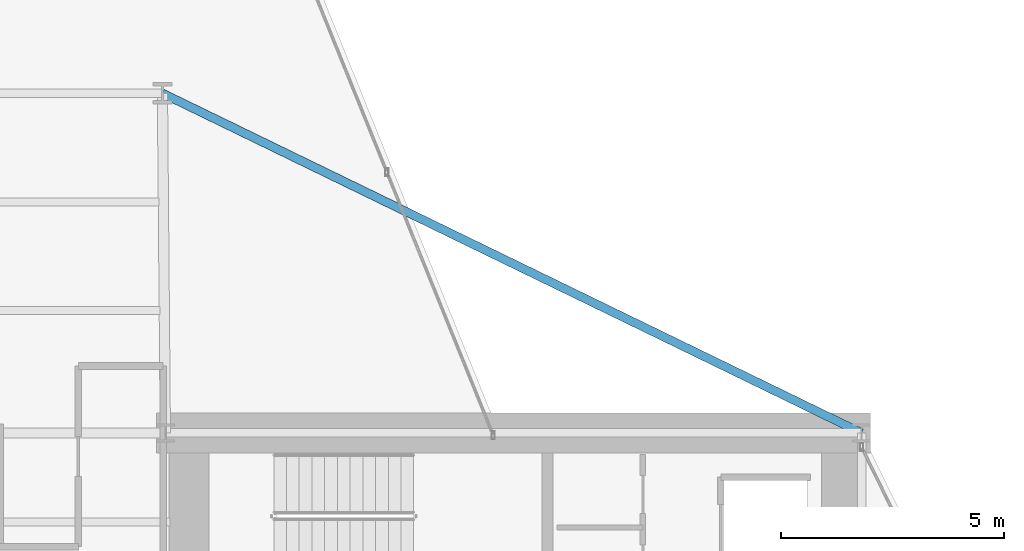
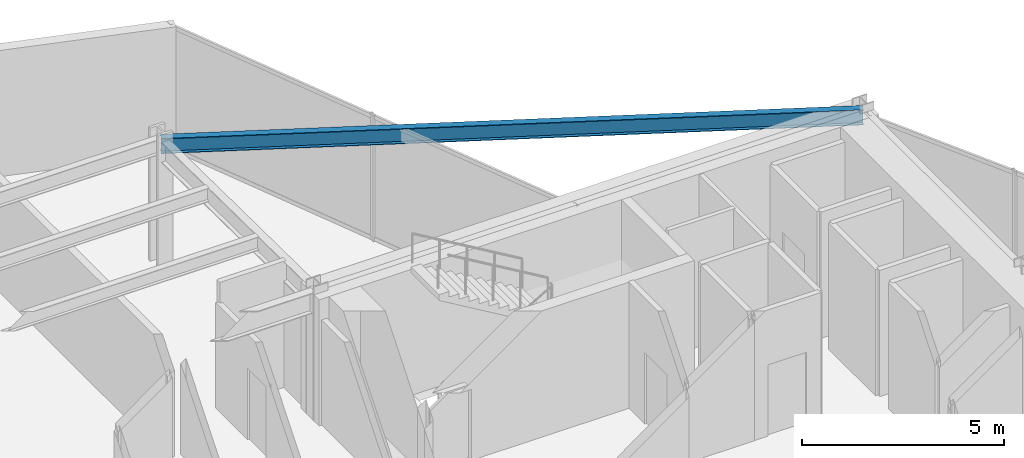
# One storey, part 22 of 29: 1 beam.
"""IFC4 building model written with IfcOpenShell, lengths in metres."""

from ifc_helpers import new_model, si_unit, direction, frame, origin, origin_2d, place, context, subcontext, project, spatial, i_section, extrude, material, material_profile, profile_set, type_object, element, save


model = new_model("IFC4")

# Units and contexts
model_context = context("Model", 3, precision=1e-05, world=origin(), true_north=direction((0.0, 1.0)))
body_context = subcontext(model_context, "Body", "Model", "MODEL_VIEW")
ifc_project = project(units=[si_unit("LENGTHUNIT", "METRE"), si_unit("AREAUNIT", "SQUARE_METRE"), si_unit("VOLUMEUNIT", "CUBIC_METRE"), si_unit("PLANEANGLEUNIT", "RADIAN"), si_unit("MASSUNIT", "GRAM", prefix="KILO")], contexts=[model_context])

# Site, building, storey
site_placement = place(None, origin())
site = spatial("IfcSite", under=ifc_project, at=site_placement, CompositionType="ELEMENT")
building_placement = place(site_placement, origin())
building = spatial("IfcBuilding", under=site, at=building_placement, Name="Veymaron Broadcast Tower", CompositionType="ELEMENT")
storey_placement = place(building_placement, frame((0.0, 0.0, 62.10009765625)))
storey = spatial("IfcBuildingStorey", under=building, at=storey_placement, Name="L13", CompositionType="ELEMENT", Elevation=62.10009765625)

# Beam
ifc_material = material(Name="Structural steel ASTM A992 Gr 50", Category="steel")
ifc_material_profile = material_profile(ifc_material, i_section(OverallWidth=0.19091796875, OverallDepth=0.4599609375, WebThickness=0.010009765625, FlangeThickness=0.01611328125, at=origin_2d()), Name="W460X82")
ifc_profile_set = profile_set([ifc_material_profile], Name="Structural steel ASTM A992 Gr 50")
beam_type = type_object("IfcBeamType", Name="BM-SP1", PredefinedType="SPANDREL", material=ifc_profile_set)
beam_placement = place(storey_placement, frame((54.60009765625, 32.0, 3.579833984375), z_axis=(-0.899477147295, 0.436967803727, 0.0), x_axis=(-0.436967803727, -0.899477147295, 0.0)))
element("IfcBeam", 1, at=beam_placement, inside=storey, type_object=beam_type, Name="L13 primary structural floor girder", PredefinedType="SPANDREL", context=body_context, shape_type="SweptSolid", body=[
    extrude(i_section(OverallWidth=0.19091796875, OverallDepth=0.4599609375, WebThickness=0.010009765625, FlangeThickness=0.01611328125, at=origin_2d()), origin(), (0.0, 0.0, 1.0), 17.415771484375),
])

save(model, "model.ifc")
